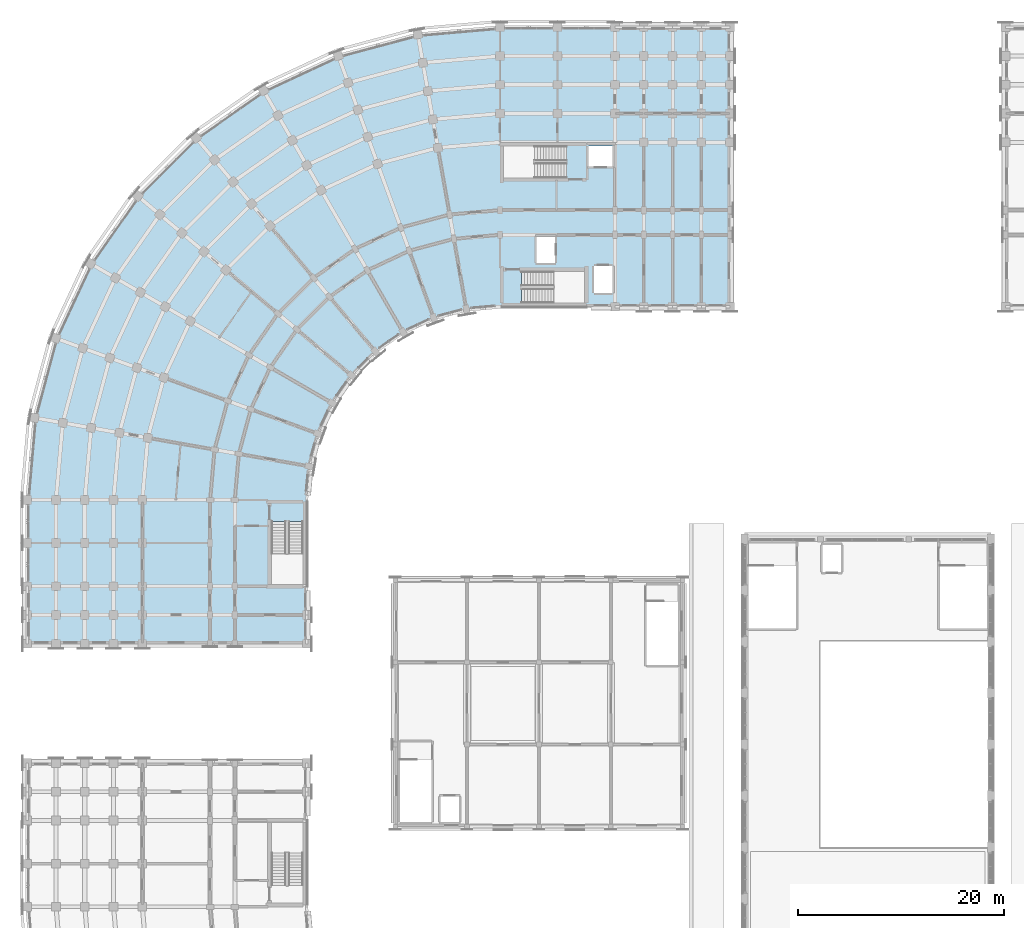
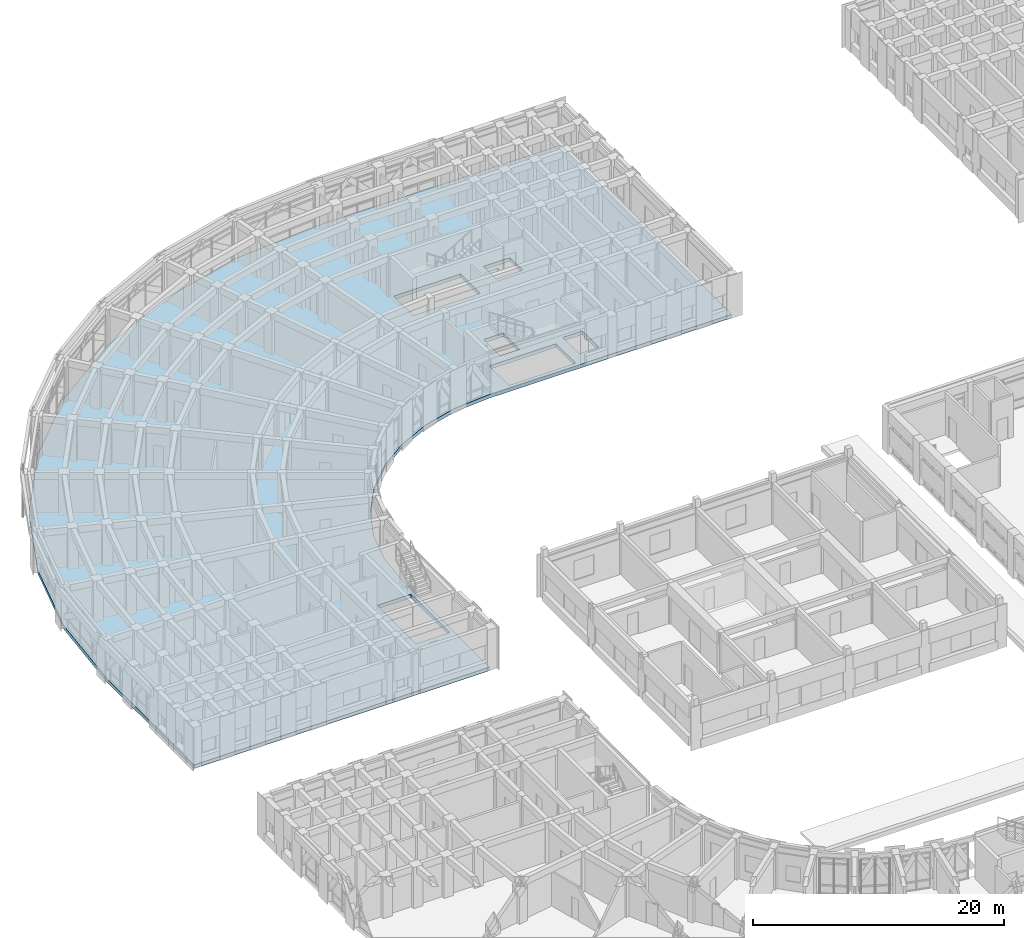
# One storey, part 49 of 97: 1 slab.
"""IFC4 building model written with IfcOpenShell, lengths in metres."""

from ifc_helpers import new_model, si_unit, direction, frame, origin, place, context, subcontext, project, spatial, polyline, outline, extrude, material, layer, layer_set, type_object, element, save


model = new_model("IFC4")

# Units and contexts
model_context = context("Model", 3, precision=1e-05, world=origin(), true_north=direction((0.0, 1.0)))
body_context = subcontext(model_context, "Body", "Model", "MODEL_VIEW")
ifc_project = project(units=[si_unit("LENGTHUNIT", "METRE"), si_unit("AREAUNIT", "SQUARE_METRE"), si_unit("VOLUMEUNIT", "CUBIC_METRE"), si_unit("PLANEANGLEUNIT", "RADIAN"), si_unit("MASSUNIT", "GRAM", prefix="KILO")], contexts=[model_context])

# Site, building, storey
site_placement = place(None, origin())
site = spatial("IfcSite", under=ifc_project, at=site_placement, CompositionType="ELEMENT")
building_placement = place(site_placement, origin())
building = spatial("IfcBuilding", under=site, at=building_placement, Name="Kiranvali Square Residences", CompositionType="ELEMENT")
storey_placement = place(building_placement, frame((0.0, 0.0, 4.5)))
storey = spatial("IfcBuildingStorey", under=building, at=storey_placement, Name="L01", CompositionType="ELEMENT", Elevation=4.5)

# Slab
ifc_material = material(Name="Concrete M45 (45 MPa)", Category="concrete")
ifc_layer = layer(ifc_material, 0.35009765625)
ifc_layer_set = layer_set([ifc_layer], Name="Concrete M45 (45 MPa)")
slab_type = type_object("IfcSlabType", Name="SLB-TRF-350", PredefinedType="FLOOR", material=ifc_layer_set)
slab_placement = place(storey_placement, frame((0.0, 0.0, -0.35009765625)))
element("IfcSlab", 1, at=slab_placement, inside=storey, type_object=slab_type, Name="Block A L01 structural floor slab", PredefinedType="FLOOR", context=body_context, shape_type="SweptSolid", body=[
    extrude(outline(polyline([(70.60009765625, 106.60009765625), (70.60009765625, 133.800048828125), (48.199951171875, 133.800048828125), (40.212158203125, 133.10107421875), (32.467041015625, 131.02587890625), (25.199951171875, 127.63720703125), (18.6318359375, 123.0380859375), (12.9619140625, 117.3681640625), (8.36279296875, 110.800048828125), (4.97412109375, 103.532958984375), (2.89892578125, 95.787841796875), (2.199951171875, 87.800048828125), (2.199951171875, 73.800048828125), (29.39990234375, 73.800048828125), (29.39990234375, 87.800048828125), (29.685546875, 91.064697265625), (30.53369140625, 94.22998046875), (31.918701171875, 97.199951171875), (33.79833984375, 99.884521484375), (36.115478515625, 102.20166015625), (38.800048828125, 104.081298828125), (41.77001953125, 105.46630859375), (44.935302734375, 106.314453125), (48.199951171875, 106.60009765625), (70.60009765625, 106.60009765625)]), holes=[polyline([(56.800048828125, 120.25), (59.25, 120.25), (59.25, 122.25), (56.800048828125, 122.25), (56.800048828125, 120.25)]), polyline([(57.35009765625, 107.949951171875), (59.14990234375, 107.949951171875), (59.14990234375, 110.550048828125), (57.35009765625, 110.550048828125), (57.35009765625, 107.949951171875)]), polyline([(51.75, 110.85009765625), (53.550048828125, 110.85009765625), (53.550048828125, 113.449951171875), (51.75, 113.449951171875), (51.75, 110.85009765625)]), polyline([(54.699951171875, 122.25), (48.550048828125, 122.25), (48.550048828125, 119.14990234375), (54.699951171875, 119.14990234375), (54.699951171875, 122.25)]), polyline([(50.300048828125, 106.949951171875), (56.449951171875, 106.949951171875), (56.449951171875, 110.050048828125), (50.300048828125, 110.050048828125), (50.300048828125, 106.949951171875)]), polyline([(25.949951171875, 85.699951171875), (25.949951171875, 79.550048828125), (29.050048828125, 79.550048828125), (29.050048828125, 85.699951171875), (25.949951171875, 85.699951171875)])]), origin(), (0.0, 0.0, 1.0), 0.35009765625),
])

save(model, "model.ifc")
